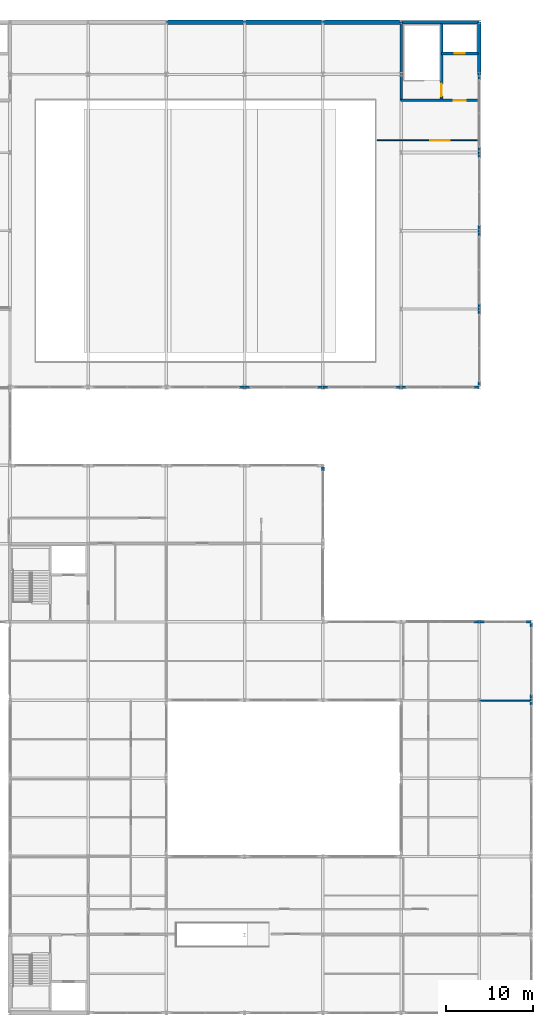
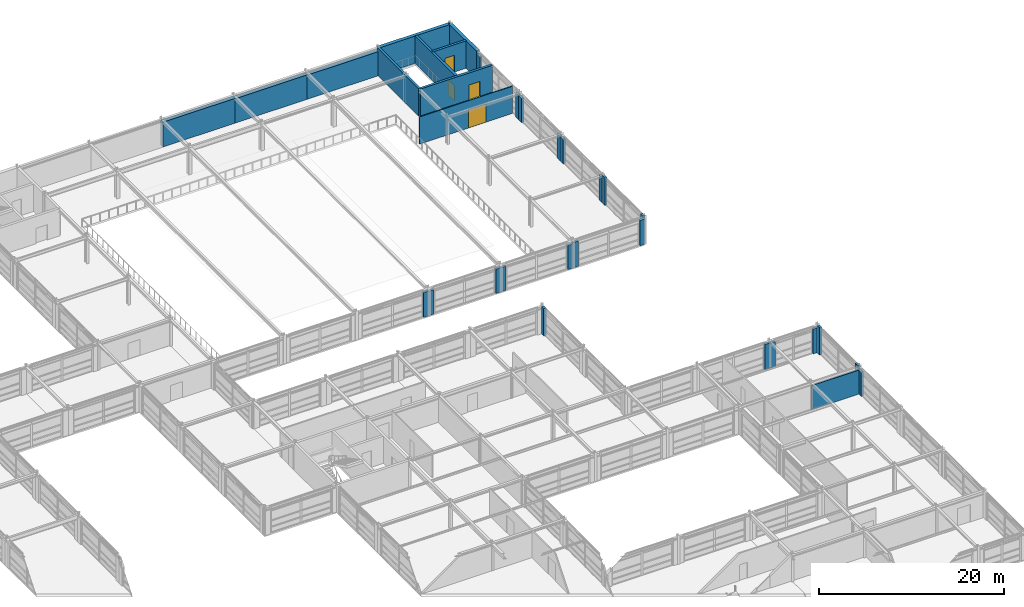
# One storey, part 71 of 79: 33 walls, 4 doors, 4 openings.
"""IFC4 building model written with IfcOpenShell, lengths in metres."""

from ifc_helpers import new_model, si_unit, direction, frame, frame_2d, origin, place, context, subcontext, project, spatial, rectangle, extrude, material, layer, layer_set, type_object, element, fill, save


model = new_model("IFC4")

# Units and contexts
model_context = context("Model", 3, precision=1e-05, world=origin(), true_north=direction((0.0, 1.0)))
body_context = subcontext(model_context, "Body", "Model", "MODEL_VIEW")
ifc_project = project(units=[si_unit("LENGTHUNIT", "METRE"), si_unit("AREAUNIT", "SQUARE_METRE"), si_unit("VOLUMEUNIT", "CUBIC_METRE"), si_unit("PLANEANGLEUNIT", "RADIAN"), si_unit("MASSUNIT", "GRAM", prefix="KILO")], contexts=[model_context])

# Site, building, storey
site_placement = place(None, origin())
site = spatial("IfcSite", under=ifc_project, at=site_placement, CompositionType="ELEMENT")
building_placement = place(site_placement, origin())
building = spatial("IfcBuilding", under=site, at=building_placement, Name="Palais des Congres Ocreval", CompositionType="ELEMENT")
storey_placement = place(building_placement, frame((0.0, 0.0, 4.320068359375)))
storey = spatial("IfcBuildingStorey", under=building, at=storey_placement, Name="L01", CompositionType="ELEMENT", Elevation=4.320068359375)

# Walls
ifc_material_1 = material(Name="Concrete C40/50", Category="concrete")
ifc_layer_1 = layer(ifc_material_1, 0.5)
ifc_layer_set_1 = layer_set([ifc_layer_1], Name="Acoustic Ballroom Wall 500 Concrete C40/50")
wall_type_1 = type_object("IfcWallType", Name="Acoustic Ballroom Wall 500 Concrete C40/50", PredefinedType="SOLIDWALL", material=ifc_layer_set_1)
wall_1_placement = place(storey_placement, frame((126.0, 114.0, 0.0), z_axis=(0.0, 0.0, 1.0), x_axis=(1.0, 0.0, 0.0)))
element("IfcWall", 1, at=wall_1_placement, inside=storey, type_object=wall_type_1, Name="Exterior Wall EW01 L01", PredefinedType="SOLIDWALL", context=body_context, shape_type="SweptSolid", body=[
    extrude(rectangle(XDim=9.0, YDim=0.5, at=frame_2d((4.5, 0.0))), origin(), (0.0, 0.0, 1.0), 3.280029296875),
])
wall_2_placement = place(storey_placement, frame((135.0, 114.0, 0.0), z_axis=(0.0, 0.0, 1.0), x_axis=(1.0, 0.0, 0.0)))
element("IfcWall", 2, at=wall_2_placement, inside=storey, type_object=wall_type_1, Name="Exterior Wall EW01 L01", PredefinedType="SOLIDWALL", context=body_context, shape_type="SweptSolid", body=[
    extrude(rectangle(XDim=9.0, YDim=0.5, at=frame_2d((4.5, 0.0))), origin(), (0.0, 0.0, 1.0), 3.219970703125),
])
wall_3_placement = place(storey_placement, frame((144.0, 114.0, 0.0), z_axis=(0.0, 0.0, 1.0), x_axis=(1.0, 0.0, 0.0)))
element("IfcWall", 3, at=wall_3_placement, inside=storey, type_object=wall_type_1, Name="Exterior Wall EW01 L01", PredefinedType="SOLIDWALL", context=body_context, shape_type="SweptSolid", body=[
    extrude(rectangle(XDim=8.8701171875, YDim=0.5, at=frame_2d((4.43505859375, 0.0))), origin(), (0.0, 0.0, 1.0), 3.179931640625),
])
ifc_material_2 = material(Name="Moisture-resistant gypsum board")
ifc_layer_2 = layer(ifc_material_2, 0.139892578125)
ifc_layer_set_2 = layer_set([ifc_layer_2], Name="Bathroom Plumbing Chase Wall 140 Gypsum (Moisture-resistant gypsum board)")
wall_type_2 = type_object("IfcWallType", Name="Bathroom Plumbing Chase Wall 140 Gypsum", PredefinedType="PLUMBINGWALL", material=ifc_layer_set_2)
wall_4_placement = place(storey_placement, frame((161.97998046875, 35.909912109375, 0.0), z_axis=(0.0, 0.0, 1.0), x_axis=(1.0, 0.0, 0.0)))
element("IfcWall", 4, at=wall_4_placement, inside=storey, type_object=wall_type_2, Name="Interior Partition PW03 L01", PredefinedType="PLUMBINGWALL", context=body_context, shape_type="SweptSolid", body=[
    extrude(rectangle(XDim=5.875, YDim=0.139892578125, at=frame_2d((2.9375, 0.0))), origin(), (0.0, 0.0, 1.0), 3.179931640625),
])
ifc_layer_3 = layer(ifc_material_1, 0.419921875)
ifc_layer_set_3 = layer_set([ifc_layer_3], Name="Congress Stone Facade Wall 420 Concrete C40/50")
wall_type_3 = type_object("IfcWallType", Name="Congress Stone Facade Wall 420 Concrete C40/50", PredefinedType="SOLIDWALL", material=ifc_layer_set_3)
wall_5_placement = place(storey_placement, frame((153.0, 114.0, 0.0), z_axis=(0.0, 0.0, 1.0), x_axis=(1.0, 0.0, 0.0)))
element("IfcWall", 5, at=wall_5_placement, inside=storey, type_object=wall_type_3, Name="Core Perimeter Shear Wall EW02 SC08 L01", PredefinedType="SOLIDWALL", context=body_context, shape_type="SweptSolid", body=[
    extrude(rectangle(XDim=9.0, YDim=0.419921875, at=frame_2d((4.5, 0.0))), origin(), (0.0, 0.0, 1.0), 3.599853515625),
])
wall_6_placement = place(storey_placement, frame((162.0, 114.0, 0.0), z_axis=(0.0, 0.0, 1.0), x_axis=(0.0, -1.0, 0.0)))
element("IfcWall", 6, at=wall_6_placement, inside=storey, type_object=wall_type_3, Name="Core Perimeter Shear Wall EW02 SC08 L01", PredefinedType="SOLIDWALL", context=body_context, shape_type="SweptSolid", body=[
    extrude(rectangle(XDim=6.0, YDim=0.419921875, at=frame_2d((3.0, 0.0))), origin(), (0.0, 0.0, 1.0), 3.599853515625),
])

# Wall, opening, door
ifc_layer_4 = layer(ifc_material_1, 0.300048828125)
ifc_layer_set_4 = layer_set([ifc_layer_4], Name="Core Shear Wall 300 Concrete C40/50")
wall_type_4 = type_object("IfcWallType", Name="Core Shear Wall 300 Concrete C40/50", PredefinedType="SHEAR", material=ifc_layer_set_4)
wall_7_placement = place(storey_placement, frame((153.0, 105.0, 0.0), z_axis=(0.0, 0.0, 1.0), x_axis=(1.0, 0.0, 0.0)))
wall_7 = element("IfcWall", 7, at=wall_7_placement, inside=storey, type_object=wall_type_4, Name="Core Shear Wall SC08 L01 S", PredefinedType="SHEAR", context=body_context, shape_type="SweptSolid", body=[
    extrude(rectangle(XDim=9.0, YDim=0.300048828125, at=frame_2d((4.5, 0.0))), origin(), (0.0, 0.0, 1.0), 3.599853515625),
])
opening_1_placement = place(wall_7_placement, frame((6.050048828125, 0.0, 0.0)))
opening_1 = element("IfcOpeningElement", 8, at=opening_1_placement, cuts=wall_7, Name="Opening D03", PredefinedType="OPENING", context=body_context, shape_type="SweptSolid", body=[
    extrude(rectangle(XDim=1.39990234375, YDim=2.02001953125, at=frame_2d((0.699951171875, 1.010009765625))), frame((0.0, 0.159912109375, 0.0), z_axis=(0.0, -1.0, 0.0), x_axis=(1.0, 0.0, 0.0)), (0.0, 0.0, 1.0), 0.320068359375),
])
ifc_material_3 = material(Name="Painted fire-rated steel", Category="steel")
door_type_1 = type_object("IfcDoorType", Name="Core Lobby Rated Door 1400x2020", OperationType="NOTDEFINED", PredefinedType="DOOR", material=ifc_material_3)
door_1_placement = place(opening_1_placement, origin())
door_1 = element("IfcDoor", 9, at=door_1_placement, inside=storey, type_object=door_type_1, Name="Lobby Entrance Door SC08 L01", OperationType="DOUBLE_DOOR_SINGLE_SWING", OverallHeight=2.02001953125, OverallWidth=1.39990234375, PredefinedType="DOOR", context=body_context, shape_type="SweptSolid", body=[
    extrude(rectangle(XDim=1.39990234375, YDim=2.02001953125, at=frame_2d((0.699951171875, 1.010009765625))), frame((0.0, 0.02490234375, 0.0), z_axis=(0.0, -1.0, 0.0), x_axis=(1.0, 0.0, 0.0)), (0.0, 0.0, 1.0), 0.050048828125),
])
fill(opening_1, door_1)

# Wall
wall_8_placement = place(storey_placement, frame((153.0, 105.0, 0.0), z_axis=(0.0, 0.0, 1.0), x_axis=(0.0, 1.0, 0.0)))
element("IfcWall", 10, at=wall_8_placement, inside=storey, type_object=wall_type_4, Name="Core Shear Wall SC08 L01 W", PredefinedType="SHEAR", context=body_context, shape_type="SweptSolid", body=[
    extrude(rectangle(XDim=9.0, YDim=0.300048828125, at=frame_2d((4.5, 0.0))), origin(), (0.0, 0.0, 1.0), 3.599853515625),
])

# Wall, opening, door
wall_9_placement = place(storey_placement, frame((157.64990234375, 105.14990234375, 0.0), z_axis=(0.0, 0.0, 1.0), x_axis=(0.0, 1.0, 0.0)))
wall_9 = element("IfcWall", 11, at=wall_9_placement, inside=storey, type_object=wall_type_4, Name="Core Spine Shear Wall SC08 L01", PredefinedType="SHEAR", context=body_context, shape_type="SweptSolid", body=[
    extrude(rectangle(XDim=8.7001953125, YDim=0.300048828125, at=frame_2d((4.35009765625, 0.0))), origin(), (0.0, 0.0, 1.0), 3.599853515625),
])
opening_2_placement = place(wall_9_placement, frame((0.35009765625, 0.0, 0.0)))
opening_2 = element("IfcOpeningElement", 12, at=opening_2_placement, cuts=wall_9, Name="Opening D03", PredefinedType="OPENING", context=body_context, shape_type="SweptSolid", body=[
    extrude(rectangle(XDim=1.39990234375, YDim=2.02001953125, at=frame_2d((0.699951171875, 1.010009765625))), frame((0.0, 0.159912109375, 0.0), z_axis=(0.0, -1.0, 0.0), x_axis=(1.0, 0.0, 0.0)), (0.0, 0.0, 1.0), 0.320068359375),
])
door_2_placement = place(opening_2_placement, origin())
door_2 = element("IfcDoor", 13, at=door_2_placement, inside=storey, type_object=door_type_1, Name="Protected Exit Stair Door ST08 L01", OperationType="SINGLE_SWING_RIGHT", OverallHeight=2.02001953125, OverallWidth=1.39990234375, PredefinedType="DOOR", context=body_context, shape_type="SweptSolid", body=[
    extrude(rectangle(XDim=1.39990234375, YDim=2.02001953125, at=frame_2d((0.699951171875, 1.010009765625))), frame((0.0, 0.02490234375, 0.0), z_axis=(0.0, -1.0, 0.0), x_axis=(1.0, 0.0, 0.0)), (0.0, 0.0, 1.0), 0.050048828125),
])
fill(opening_2, door_2)

wall_10_placement = place(storey_placement, frame((157.64990234375, 110.39990234375, 0.0), z_axis=(0.0, 0.0, 1.0), x_axis=(1.0, 0.0, 0.0)))
wall_10 = element("IfcWall", 14, at=wall_10_placement, inside=storey, type_object=wall_type_4, Name="Lift Shaft Front Wall SC08 L01", PredefinedType="SHEAR", context=body_context, shape_type="SweptSolid", body=[
    extrude(rectangle(XDim=4.2001953125, YDim=0.300048828125, at=frame_2d((2.10009765625, 0.0))), origin(), (0.0, 0.0, 1.0), 3.599853515625),
])
opening_3_placement = place(wall_10_placement, frame((1.5, 0.0, 0.0)))
opening_3 = element("IfcOpeningElement", 15, at=opening_3_placement, cuts=wall_10, Name="Opening LD02", PredefinedType="OPENING", context=body_context, shape_type="SweptSolid", body=[
    extrude(rectangle(XDim=1.199951171875, YDim=2.199951171875, at=frame_2d((0.60009765625, 1.10009765625))), frame((0.0, 0.159912109375, 0.0), z_axis=(0.0, -1.0, 0.0), x_axis=(1.0, 0.0, 0.0)), (0.0, 0.0, 1.0), 0.320068359375),
])
ifc_material_4 = material(Name="Anodized bronze steel", Category="steel")
door_type_2 = type_object("IfcDoorType", Name="Passenger and Service Lift Sliding Door 1200x2200", OperationType="NOTDEFINED", PredefinedType="DOOR", material=ifc_material_4)
door_3_placement = place(opening_3_placement, origin())
door_3 = element("IfcDoor", 16, at=door_3_placement, inside=storey, type_object=door_type_2, Name="Lift Landing Sliding Door BL3 L01", OperationType="DOUBLE_DOOR_SLIDING", OverallHeight=2.199951171875, OverallWidth=1.199951171875, PredefinedType="DOOR", context=body_context, shape_type="SweptSolid", body=[
    extrude(rectangle(XDim=1.199951171875, YDim=2.199951171875, at=frame_2d((0.60009765625, 1.10009765625))), frame((0.0, 0.02490234375, 0.0), z_axis=(0.0, -1.0, 0.0), x_axis=(1.0, 0.0, 0.0)), (0.0, 0.0, 1.0), 0.050048828125),
])
fill(opening_3, door_3)

# Wall
ifc_layer_5 = layer(ifc_material_1, 0.340087890625)
ifc_layer_set_5 = layer_set([ifc_layer_5], Name="Ochre Mineral-Lime Courtyard Wall 340 Concrete C40/50")
wall_type_5 = type_object("IfcWallType", Name="Ochre Mineral-Lime Courtyard Wall 340 Concrete C40/50", PredefinedType="SOLIDWALL", material=ifc_layer_set_5)
wall_11_placement = place(storey_placement, frame((144.0, 62.844970703125, 0.0), z_axis=(0.0, 0.0, 1.0), x_axis=(0.0, -1.0, 0.0)))
element("IfcWall", 17, at=wall_11_placement, inside=storey, type_object=wall_type_5, Name="Facade Pier EW04 L01", PredefinedType="SOLIDWALL", context=body_context, shape_type="SweptSolid", body=[
    extrude(rectangle(XDim=0.494873046875, YDim=0.340087890625, at=frame_2d((0.24755859375, 0.0))), origin(), (0.0, 0.0, 1.0), 3.58984375),
])

# Wall, opening, door
ifc_material_5 = material(Name="Gypsum board partition")
ifc_layer_6 = layer(ifc_material_5, 0.1201171875)
ifc_layer_set_6 = layer_set([ifc_layer_6], Name="Suite Subdivision Partition 120 Gypsum (Gypsum board partition)")
wall_type_6 = type_object("IfcWallType", Name="Suite Subdivision Partition 120 Gypsum", PredefinedType="PARTITIONING", material=ifc_layer_set_6)
wall_12_placement = place(storey_placement, frame((150.27001953125, 100.409912109375, 0.0), z_axis=(0.0, 0.0, 1.0), x_axis=(1.0, 0.0, 0.0)))
wall_12 = element("IfcWall", 18, at=wall_12_placement, inside=storey, type_object=wall_type_6, Name="Interior Partition IW04 L01", PredefinedType="PARTITIONING", context=body_context, shape_type="SweptSolid", body=[
    extrude(rectangle(XDim=11.635009765625, YDim=0.1201171875, at=frame_2d((5.8173828125, 0.0))), origin(), (0.0, 0.0, 1.0), 3.599853515625),
])
opening_4_placement = place(wall_12_placement, frame((6.11376953125, 0.0, 0.0)))
opening_4 = element("IfcOpeningElement", 19, at=opening_4_placement, cuts=wall_12, Name="Opening D14", PredefinedType="OPENING", context=body_context, shape_type="SweptSolid", body=[
    extrude(rectangle(XDim=2.199951171875, YDim=2.449951171875, at=frame_2d((1.10009765625, 1.22509765625))), frame((0.0, 0.070068359375, 0.0), z_axis=(0.0, -1.0, 0.0), x_axis=(1.0, 0.0, 0.0)), (0.0, 0.0, 1.0), 0.14013671875),
])
ifc_material_6 = material(Name="Acoustic oak and bronze", Category="wood")
door_type_3 = type_object("IfcDoorType", Name="Grand Ballroom Acoustic Double Door 2200x2450", OperationType="NOTDEFINED", PredefinedType="DOOR", material=ifc_material_6)
door_4_placement = place(opening_4_placement, origin())
door_4 = element("IfcDoor", 20, at=door_4_placement, inside=storey, type_object=door_type_3, Name="Interior Door D14 L01", OperationType="DOUBLE_DOOR_SINGLE_SWING", OverallHeight=2.449951171875, OverallWidth=2.199951171875, PredefinedType="DOOR", context=body_context, shape_type="SweptSolid", body=[
    extrude(rectangle(XDim=2.199951171875, YDim=2.449951171875, at=frame_2d((1.10009765625, 1.22509765625))), frame((0.0, 0.02490234375, 0.0), z_axis=(0.0, -1.0, 0.0), x_axis=(1.0, 0.0, 0.0)), (0.0, 0.0, 1.0), 0.050048828125),
])
fill(opening_4, door_4)

# Walls
ifc_layer_7 = layer(ifc_material_1, 0.280029296875)
ifc_layer_set_7 = layer_set([ifc_layer_7], Name="Terracotta Mineral-Lime Facade Wall 280 Concrete C40/50")
wall_type_7 = type_object("IfcWallType", Name="Terracotta Mineral-Lime Facade Wall 280 Concrete C40/50", PredefinedType="SOLIDWALL", material=ifc_layer_set_7)
for number, where, z_axis, x_axis, name in (
    (21, (162.0, 108.0, 0.0), (0.0, 0.0, 1.0), (0.0, -1.0, 0.0), "Facade Pier EW05 L01"),
    (22, (162.0, 99.64990234375, 0.0), (0.0, 0.0, 1.0), (0.0, -1.0, 0.0), "Facade Pier EW05 L01"),
):
    element("IfcWall", number, at=place(storey_placement, frame(where, z_axis=z_axis, x_axis=x_axis)), inside=storey, type_object=wall_type_7, Name=name, PredefinedType="SOLIDWALL", context=body_context, shape_type="SweptSolid", body=[
        extrude(rectangle(XDim=0.64990234375, YDim=0.280029296875, at=frame_2d((0.324951171875, 0.0))), origin(), (0.0, 0.0, 1.0), 3.179931640625),
    ])
for number, where, z_axis, x_axis, name in (
    (23, (162.0, 99.0, 0.0), (0.0, 0.0, 1.0), (0.0, -1.0, 0.0), "Facade Pier EW05 L01"),
    (24, (162.0, 90.64990234375, 0.0), (0.0, 0.0, 1.0), (0.0, -1.0, 0.0), "Facade Pier EW05 L01"),
):
    element("IfcWall", number, at=place(storey_placement, frame(where, z_axis=z_axis, x_axis=x_axis)), inside=storey, type_object=wall_type_7, Name=name, PredefinedType="SOLIDWALL", context=body_context, shape_type="SweptSolid", body=[
        extrude(rectangle(XDim=0.64990234375, YDim=0.280029296875, at=frame_2d((0.324951171875, 0.0))), origin(), (0.0, 0.0, 1.0), 3.219970703125),
    ])
for number, where, z_axis, x_axis, name in (
    (25, (162.0, 90.0, 0.0), (0.0, 0.0, 1.0), (0.0, -1.0, 0.0), "Facade Pier EW05 L01"),
    (26, (162.0, 81.64990234375, 0.0), (0.0, 0.0, 1.0), (0.0, -1.0, 0.0), "Facade Pier EW05 L01"),
):
    element("IfcWall", number, at=place(storey_placement, frame(where, z_axis=z_axis, x_axis=x_axis)), inside=storey, type_object=wall_type_7, Name=name, PredefinedType="SOLIDWALL", context=body_context, shape_type="SweptSolid", body=[
        extrude(rectangle(XDim=0.64990234375, YDim=0.280029296875, at=frame_2d((0.324951171875, 0.0))), origin(), (0.0, 0.0, 1.0), 3.280029296875),
    ])
wall_13_placement = place(storey_placement, frame((162.0, 81.0, 0.0), z_axis=(0.0, 0.0, 1.0), x_axis=(0.0, -1.0, 0.0)))
element("IfcWall", 27, at=wall_13_placement, inside=storey, type_object=wall_type_7, Name="Facade Pier EW05 L01", PredefinedType="SOLIDWALL", context=body_context, shape_type="SweptSolid", body=[
    extrude(rectangle(XDim=0.64990234375, YDim=0.280029296875, at=frame_2d((0.324951171875, 0.0))), origin(), (0.0, 0.0, 1.0), 3.599853515625),
])
wall_14_placement = place(storey_placement, frame((162.0, 72.64990234375, 0.0), z_axis=(0.0, 0.0, 1.0), x_axis=(0.0, -1.0, 0.0)))
element("IfcWall", 28, at=wall_14_placement, inside=storey, type_object=wall_type_7, Name="Facade Pier EW05 L01", PredefinedType="SOLIDWALL", context=body_context, shape_type="SweptSolid", body=[
    extrude(rectangle(XDim=0.494873046875, YDim=0.280029296875, at=frame_2d((0.24755859375, 0.0))), origin(), (0.0, 0.0, 1.0), 3.599853515625),
])
for number, where, z_axis, x_axis, name in (
    (29, (162.0, 72.0, 0.0), (0.0, 0.0, 1.0), (-1.0, 0.0, 0.0), "Facade Pier EW05 L01"),
    (30, (153.64990234375, 72.0, 0.0), (0.0, 0.0, 1.0), (-1.0, 0.0, 0.0), "Facade Pier EW05 L01"),
):
    element("IfcWall", number, at=place(storey_placement, frame(where, z_axis=z_axis, x_axis=x_axis)), inside=storey, type_object=wall_type_7, Name=name, PredefinedType="SOLIDWALL", context=body_context, shape_type="SweptSolid", body=[
        extrude(rectangle(XDim=0.64990234375, YDim=0.280029296875, at=frame_2d((0.324951171875, 0.0))), origin(), (0.0, 0.0, 1.0), 3.349853515625),
    ])
for number, where, z_axis, x_axis, name in (
    (31, (153.0, 72.0, 0.0), (0.0, 0.0, 1.0), (-1.0, 0.0, 0.0), "Facade Pier EW05 L01"),
    (32, (144.64990234375, 72.0, 0.0), (0.0, 0.0, 1.0), (-1.0, 0.0, 0.0), "Facade Pier EW05 L01"),
):
    element("IfcWall", number, at=place(storey_placement, frame(where, z_axis=z_axis, x_axis=x_axis)), inside=storey, type_object=wall_type_7, Name=name, PredefinedType="SOLIDWALL", context=body_context, shape_type="SweptSolid", body=[
        extrude(rectangle(XDim=0.64990234375, YDim=0.280029296875, at=frame_2d((0.324951171875, 0.0))), origin(), (0.0, 0.0, 1.0), 3.179931640625),
    ])
for number, where, z_axis, x_axis, name in (
    (33, (144.0, 72.0, 0.0), (0.0, 0.0, 1.0), (-1.0, 0.0, 0.0), "Facade Pier EW05 L01"),
    (34, (135.64990234375, 72.0, 0.0), (0.0, 0.0, 1.0), (-1.0, 0.0, 0.0), "Facade Pier EW05 L01"),
):
    element("IfcWall", number, at=place(storey_placement, frame(where, z_axis=z_axis, x_axis=x_axis)), inside=storey, type_object=wall_type_7, Name=name, PredefinedType="SOLIDWALL", context=body_context, shape_type="SweptSolid", body=[
        extrude(rectangle(XDim=0.64990234375, YDim=0.280029296875, at=frame_2d((0.324951171875, 0.0))), origin(), (0.0, 0.0, 1.0), 3.219970703125),
    ])
wall_15_placement = place(storey_placement, frame((135.0, 72.0, 0.0), z_axis=(0.0, 0.0, 1.0), x_axis=(-1.0, 0.0, 0.0)))
element("IfcWall", 35, at=wall_15_placement, inside=storey, type_object=wall_type_7, Name="Facade Pier EW05 L01", PredefinedType="SOLIDWALL", context=body_context, shape_type="SweptSolid", body=[
    extrude(rectangle(XDim=0.64990234375, YDim=0.280029296875, at=frame_2d((0.324951171875, 0.0))), origin(), (0.0, 0.0, 1.0), 3.280029296875),
])
wall_16_placement = place(storey_placement, frame((161.35009765625, 45.0, 0.0), z_axis=(0.0, 0.0, 1.0), x_axis=(1.0, 0.0, 0.0)))
element("IfcWall", 36, at=wall_16_placement, inside=storey, type_object=wall_type_7, Name="Facade Pier EW05 L01", PredefinedType="SOLIDWALL", context=body_context, shape_type="SweptSolid", body=[
    extrude(rectangle(XDim=0.64990234375, YDim=0.280029296875, at=frame_2d((0.324951171875, 0.0))), origin(), (0.0, 0.0, 1.0), 3.349853515625),
])
for number, where, z_axis, x_axis, name in (
    (37, (162.0, 45.0, 0.0), (0.0, 0.0, 1.0), (1.0, 0.0, 0.0), "Facade Pier EW05 L01"),
    (38, (167.35009765625, 45.0, 0.0), (0.0, 0.0, 1.0), (1.0, 0.0, 0.0), "Facade Pier EW05 L01"),
):
    element("IfcWall", number, at=place(storey_placement, frame(where, z_axis=z_axis, x_axis=x_axis)), inside=storey, type_object=wall_type_7, Name=name, PredefinedType="SOLIDWALL", context=body_context, shape_type="SweptSolid", body=[
        extrude(rectangle(XDim=0.64990234375, YDim=0.280029296875, at=frame_2d((0.324951171875, 0.0))), origin(), (0.0, 0.0, 1.0), 3.280029296875),
    ])
wall_17_placement = place(storey_placement, frame((168.0, 44.844970703125, 0.0), z_axis=(0.0, 0.0, 1.0), x_axis=(0.0, -1.0, 0.0)))
element("IfcWall", 39, at=wall_17_placement, inside=storey, type_object=wall_type_7, Name="Facade Pier EW05 L01", PredefinedType="SOLIDWALL", context=body_context, shape_type="SweptSolid", body=[
    extrude(rectangle(XDim=0.494873046875, YDim=0.280029296875, at=frame_2d((0.24755859375, 0.0))), origin(), (0.0, 0.0, 1.0), 3.599853515625),
])
wall_18_placement = place(storey_placement, frame((168.0, 36.64990234375, 0.0), z_axis=(0.0, 0.0, 1.0), x_axis=(0.0, -1.0, 0.0)))
element("IfcWall", 40, at=wall_18_placement, inside=storey, type_object=wall_type_7, Name="Facade Pier EW05 L01", PredefinedType="SOLIDWALL", context=body_context, shape_type="SweptSolid", body=[
    extrude(rectangle(XDim=0.64990234375, YDim=0.280029296875, at=frame_2d((0.324951171875, 0.0))), origin(), (0.0, 0.0, 1.0), 3.599853515625),
])
wall_19_placement = place(storey_placement, frame((168.0, 36.0, 0.0), z_axis=(0.0, 0.0, 1.0), x_axis=(0.0, -1.0, 0.0)))
element("IfcWall", 41, at=wall_19_placement, inside=storey, type_object=wall_type_7, Name="Facade Pier EW05 L01", PredefinedType="SOLIDWALL", context=body_context, shape_type="SweptSolid", body=[
    extrude(rectangle(XDim=0.64990234375, YDim=0.280029296875, at=frame_2d((0.324951171875, 0.0))), origin(), (0.0, 0.0, 1.0), 3.179931640625),
])

save(model, "model.ifc")
